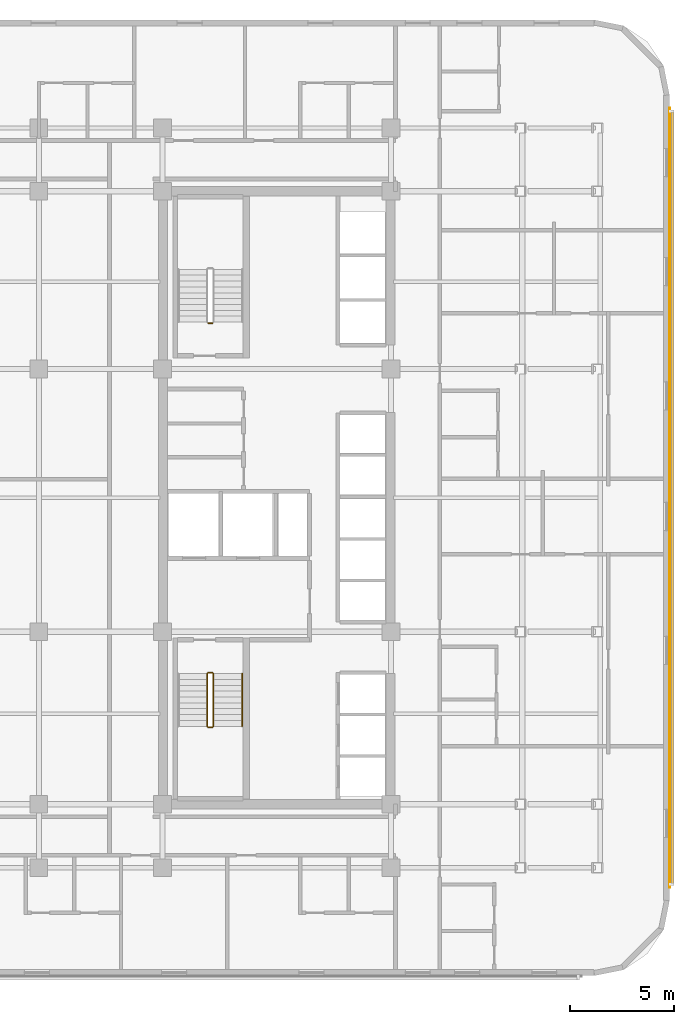
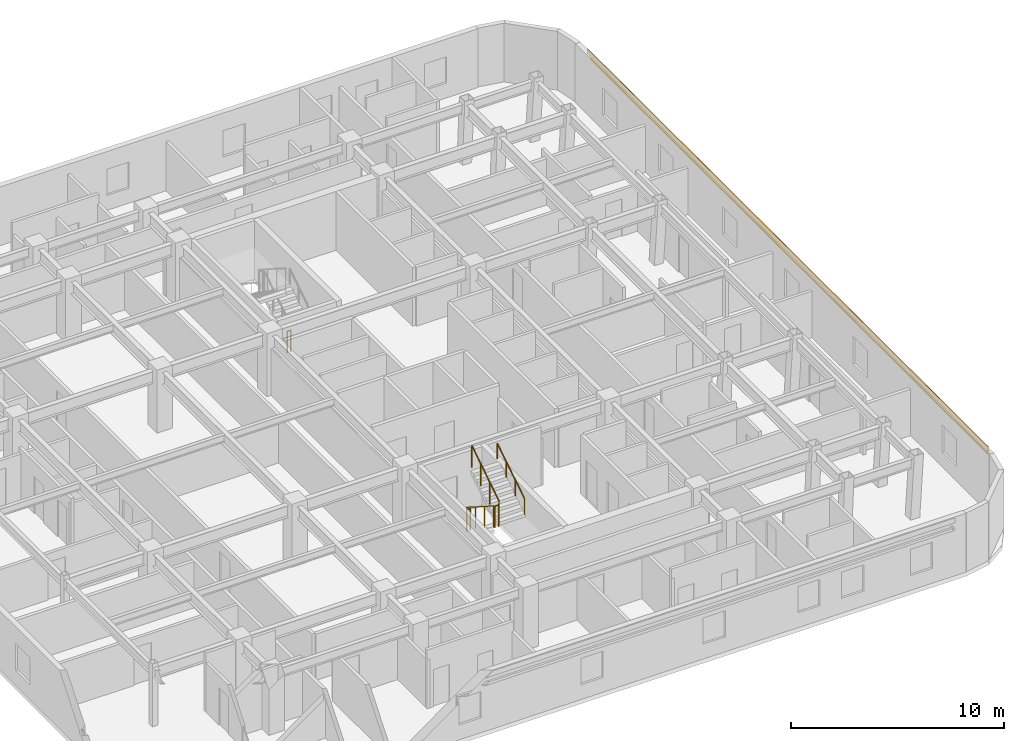
# One storey, part 13 of 14: 6 railings, 1 covering, 1 shading device.
"""IFC4 building model written with IfcOpenShell, lengths in metres."""

from ifc_helpers import new_model, si_unit, direction, frame, origin, origin_2d, place, context, subcontext, project, spatial, rectangle, circle, extrude, material, layer, layer_set, material_profile, profile_set, type_object, element, save


model = new_model("IFC4")

# Units and contexts
model_context = context("Model", 3, precision=1e-05, world=origin(), true_north=direction((0.0, 1.0)))
body_context = subcontext(model_context, "Body", "Model", "MODEL_VIEW")
ifc_project = project(units=[si_unit("LENGTHUNIT", "METRE"), si_unit("AREAUNIT", "SQUARE_METRE"), si_unit("VOLUMEUNIT", "CUBIC_METRE"), si_unit("PLANEANGLEUNIT", "RADIAN"), si_unit("MASSUNIT", "GRAM", prefix="KILO")], contexts=[model_context])

# Site, building, storey
site_placement = place(None, origin())
site = spatial("IfcSite", under=ifc_project, at=site_placement, CompositionType="ELEMENT")
building_placement = place(site_placement, origin())
building = spatial("IfcBuilding", under=site, at=building_placement, Name="Ochreholt Gables", CompositionType="ELEMENT")
storey_placement = place(building_placement, frame((0.0, 0.0, 42.0)))
storey = spatial("IfcBuildingStorey", under=building, at=storey_placement, Name="L10", CompositionType="ELEMENT", Elevation=42.0)

# Covering
ifc_material_1 = material(Name="Glazed Ochre Terracotta Rainscreen Cladding", Category="masonry")
ifc_layer = layer(ifc_material_1, 0.044921875, Name="Glazed Ochre Terracotta Rainscreen Cladding")
ifc_layer_set = layer_set([ifc_layer], Name="Glazed Ochre Terracotta Rainscreen Cladding")
covering_type = type_object("IfcCoveringType", Name="COV-CLAD-TC", PredefinedType="CLADDING", material=ifc_layer_set)
covering_placement = place(storey_placement, frame((48.6201171875, 24.0, 3.06005859375), z_axis=(0.0, 0.0, 1.0), x_axis=(0.0, 1.0, 0.0)))
element("IfcCovering", 1, at=covering_placement, inside=storey, type_object=covering_type, Name="L10 Terracotta Spandrel Cladding East", PredefinedType="CLADDING", context=body_context, shape_type="SweptSolid", body=[
    extrude(rectangle(XDim=37.56005859375, YDim=0.044921875, at=origin_2d()), origin(), (0.0, 0.0, 1.0), 0.280029296875),
])

# Railings
ifc_material_2 = material(Name="Painted Steel Stair Guardrail", Category="steel")
railing_type_1 = type_object("IfcRailingType", Name="RL-ST-GUARD", PredefinedType="GUARDRAIL", material=ifc_material_2)
railing_1_placement = place(storey_placement, frame((26.35009765625, 15.5400390625, 0.179931640625)))
element("IfcRailing", 2, at=railing_1_placement, inside=storey, type_object=railing_type_1, Name="L10 ST-1 stair guard 1", PredefinedType="GUARDRAIL", context=body_context, shape_type="SweptSolid", body=[
    extrude(circle(Radius=0.02392578125, at=origin_2d()), frame((0.0, 0.0, 1.22607421875), z_axis=(0.0, -0.842912820907, 0.538050161556), x_axis=(1.0, 0.0, 0.0)), (0.0, 0.0, 1.0), 3.010986328125),
    extrude(circle(Radius=0.02099609375, at=origin_2d()), origin(), (0.0, 0.0, 1.0), 1.201904296875),
    extrude(circle(Radius=0.02099609375, at=origin_2d()), frame((0.0, -0.845947265625, 0.5400390625)), (0.0, 0.0, 1.0), 1.201904296875),
    extrude(circle(Radius=0.02099609375, at=origin_2d()), frame((0.0, -1.692138671875, 1.080078125)), (0.0, 0.0, 1.0), 1.201904296875),
    extrude(circle(Radius=0.02099609375, at=origin_2d()), frame((0.0, -2.5380859375, 1.6201171875)), (0.0, 0.0, 1.0), 1.201904296875),
])
railing_2_placement = place(storey_placement, frame((26.39990234375, 12.951904296875, 1.800048828125)))
element("IfcRailing", 3, at=railing_2_placement, inside=storey, type_object=railing_type_1, Name="L10 ST-1 stair guard 2", PredefinedType="GUARDRAIL", context=body_context, shape_type="SweptSolid", body=[
    extrude(circle(Radius=0.02392578125, at=origin_2d()), frame((0.0, 0.0, 1.22607421875), z_axis=(1.0, 0.0, 0.0), x_axis=(0.0, 1.0, 0.0)), (0.0, 0.0, 1.0), 0.2001953125),
    extrude(circle(Radius=0.02099609375, at=origin_2d()), origin(), (0.0, 0.0, 1.0), 1.201904296875),
    extrude(circle(Radius=0.02099609375, at=origin_2d()), frame((0.2001953125, 0.0, 0.0)), (0.0, 0.0, 1.0), 1.201904296875),
])
railing_3_placement = place(storey_placement, frame((26.64990234375, 13.001953125, 1.97998046875)))
element("IfcRailing", 4, at=railing_3_placement, inside=storey, type_object=railing_type_1, Name="L10 ST-1 stair guard 3", PredefinedType="GUARDRAIL", context=body_context, shape_type="SweptSolid", body=[
    extrude(circle(Radius=0.02392578125, at=origin_2d()), frame((0.0, 0.0, 1.22607421875), z_axis=(0.0, 0.842912820907, 0.538050161556), x_axis=(-1.0, 0.0, 0.0)), (0.0, 0.0, 1.0), 3.010986328125),
    extrude(circle(Radius=0.02099609375, at=origin_2d()), origin(), (0.0, 0.0, 1.0), 1.201904296875),
    extrude(circle(Radius=0.02099609375, at=origin_2d()), frame((0.0, 0.845947265625, 0.5400390625)), (0.0, 0.0, 1.0), 1.201904296875),
    extrude(circle(Radius=0.02099609375, at=origin_2d()), frame((0.0, 1.692138671875, 1.080078125)), (0.0, 0.0, 1.0), 1.201904296875),
    extrude(circle(Radius=0.02099609375, at=origin_2d()), frame((0.0, 2.5380859375, 1.6201171875)), (0.0, 0.0, 1.0), 1.201904296875),
])
railing_4_placement = place(storey_placement, frame((26.39990234375, 15.590087890625, 0.0)))
element("IfcRailing", 5, at=railing_4_placement, inside=storey, type_object=railing_type_1, Name="L10 ST-1 stair guard 4", PredefinedType="GUARDRAIL", context=body_context, shape_type="SweptSolid", body=[
    extrude(circle(Radius=0.02392578125, at=origin_2d()), frame((0.0, 0.0, 1.22607421875), z_axis=(1.0, 0.0, 0.0), x_axis=(0.0, 1.0, 0.0)), (0.0, 0.0, 1.0), 0.2001953125),
    extrude(circle(Radius=0.02099609375, at=origin_2d()), origin(), (0.0, 0.0, 1.0), 1.201904296875),
    extrude(circle(Radius=0.02099609375, at=origin_2d()), frame((0.2001953125, 0.0, 0.0)), (0.0, 0.0, 1.0), 1.201904296875),
])
railing_5_placement = place(storey_placement, frame((26.60009765625, 32.409912109375, 0.0)))
element("IfcRailing", 6, at=railing_5_placement, inside=storey, type_object=railing_type_1, Name="L10 ST-2 stair guard 4", PredefinedType="GUARDRAIL", context=body_context, shape_type="SweptSolid", body=[
    extrude(circle(Radius=0.02392578125, at=origin_2d()), frame((0.0, 0.0, 1.22607421875), z_axis=(-1.0, 0.0, 0.0), x_axis=(0.0, -1.0, 0.0)), (0.0, 0.0, 1.0), 0.2001953125),
    extrude(circle(Radius=0.02099609375, at=origin_2d()), origin(), (0.0, 0.0, 1.0), 1.201904296875),
    extrude(circle(Radius=0.02099609375, at=origin_2d()), frame((-0.2001953125, 0.0, 0.0)), (0.0, 0.0, 1.0), 1.201904296875),
])
ifc_material_3 = material(Name="Brushed Stainless Steel Wall Handrail", Category="steel")
railing_type_2 = type_object("IfcRailingType", Name="RL-ST-HAND", PredefinedType="HANDRAIL", material=ifc_material_3)
railing_6_placement = place(storey_placement, frame((28.030029296875, 13.001953125, 1.97998046875)))
element("IfcRailing", 7, at=railing_6_placement, inside=storey, type_object=railing_type_2, Name="L10 ST-1 stair handrail 2", PredefinedType="HANDRAIL", context=body_context, shape_type="SweptSolid", body=[
    extrude(circle(Radius=0.02392578125, at=origin_2d()), frame((0.0, 0.0, 0.8759765625), z_axis=(0.0, 0.842912820907, 0.538050161556), x_axis=(-1.0, 0.0, 0.0)), (0.0, 0.0, 1.0), 3.010986328125),
    extrude(circle(Radius=0.02099609375, at=origin_2d()), origin(), (0.0, 0.0, 1.0), 0.851806640625),
    extrude(circle(Radius=0.02099609375, at=origin_2d()), frame((0.0, 0.845947265625, 0.5400390625)), (0.0, 0.0, 1.0), 0.851806640625),
    extrude(circle(Radius=0.02099609375, at=origin_2d()), frame((0.0, 1.692138671875, 1.080078125)), (0.0, 0.0, 1.0), 0.851806640625),
    extrude(circle(Radius=0.02099609375, at=origin_2d()), frame((0.0, 2.5380859375, 1.6201171875)), (0.0, 0.0, 1.0), 0.851806640625),
])

# Shading device
ifc_material_4 = material(Name="Warm Ochre Glazed Terracotta Baguette", Category="masonry")
ifc_material_profile = material_profile(ifc_material_4, rectangle(XDim=0.110107421875, YDim=0.14990234375, at=origin_2d()), Name="TCBAG110X150")
ifc_profile_set = profile_set([ifc_material_profile], Name="Warm Ochre Glazed Terracotta Baguette")
shading_device_type = type_object("IfcShadingDeviceType", Name="SHD-BAGUETTE", PredefinedType="USERDEFINED", material=ifc_profile_set)
shading_device_placement = place(storey_placement, frame((48.75, 5.39990234375, 2.840087890625), z_axis=(0.0, 1.0, 0.0), x_axis=(-1.0, 0.0, 0.0)))
element("IfcShadingDevice", 8, at=shading_device_placement, inside=storey, type_object=shading_device_type, Name="L10 Terracotta Baguette Screen E-1", ObjectType="BAGUETTE", PredefinedType="USERDEFINED", context=body_context, shape_type="SweptSolid", body=[
    extrude(rectangle(XDim=0.110107421875, YDim=0.14990234375, at=origin_2d()), origin(), (0.0, 0.0, 1.0), 37.2001953125),
])

save(model, "model.ifc")
